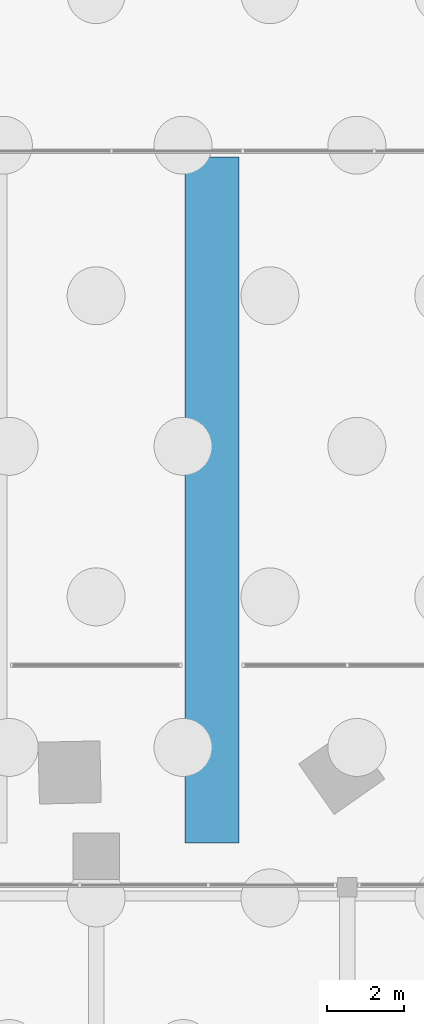
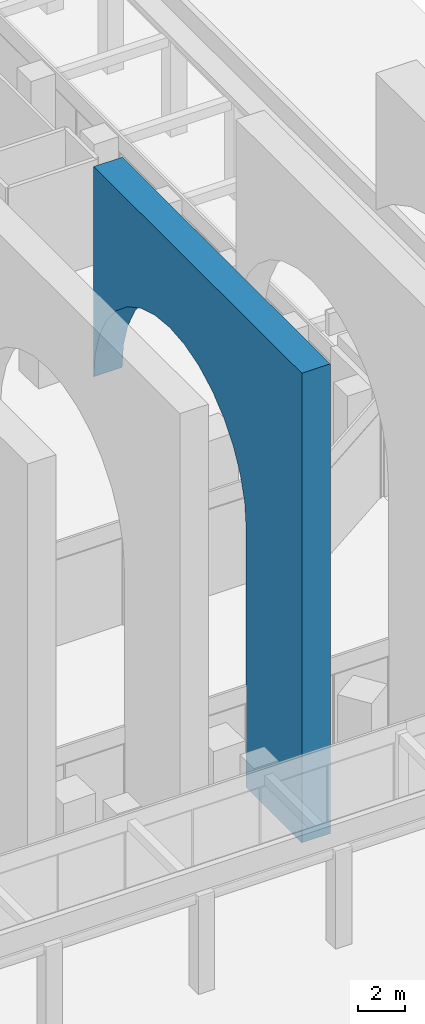
# One storey, part 24 of 46: 1 member.
"""IFC4 building model written with IfcOpenShell, lengths in metres."""

from ifc_helpers import new_model, si_unit, direction, frame, origin, place, context, subcontext, project, spatial, polyline, outline, extrude, material, material_profile, profile_set, type_object, element, save


model = new_model("IFC4")

# Units and contexts
model_context = context("Model", 3, precision=1e-05, world=origin(), true_north=direction((0.0, 1.0)))
body_context = subcontext(model_context, "Body", "Model", "MODEL_VIEW")
ifc_project = project(units=[si_unit("LENGTHUNIT", "METRE"), si_unit("AREAUNIT", "SQUARE_METRE"), si_unit("VOLUMEUNIT", "CUBIC_METRE"), si_unit("PLANEANGLEUNIT", "RADIAN"), si_unit("MASSUNIT", "GRAM", prefix="KILO")], contexts=[model_context])

# Site, building, storey
site_placement = place(None, origin())
site = spatial("IfcSite", under=ifc_project, at=site_placement, CompositionType="ELEMENT")
building_placement = place(site_placement, origin())
building = spatial("IfcBuilding", under=site, at=building_placement, Name="Mangrove Gate Tower", CompositionType="ELEMENT")
storey_placement = place(building_placement, origin())
storey = spatial("IfcBuildingStorey", under=building, at=storey_placement, Name="L00", CompositionType="ELEMENT", Elevation=0.0)

# Member
ifc_material = material(Name="Concrete C60/75", Category="concrete")
ifc_material_profile = material_profile(ifc_material, outline(polyline([(-8.875, 0.0), (-4.125, 0.0), (-4.125, 13.5), (-4.0, 14.76806640625), (-3.6298828125, 15.987060546875), (-3.030029296875, 17.111083984375), (-2.220947265625, 18.095947265625), (-1.236083984375, 18.905029296875), (-0.112060546875, 19.5048828125), (1.10693359375, 19.875), (2.375, 20.0), (3.64306640625, 19.875), (4.862060546875, 19.5048828125), (5.986083984375, 18.905029296875), (6.970947265625, 18.095947265625), (7.780029296875, 17.111083984375), (8.3798828125, 15.987060546875), (8.75, 14.76806640625), (8.875, 13.5), (8.875, 24.449951171875), (-8.875, 24.449951171875), (-8.875, 0.0)])))
ifc_profile_set = profile_set([ifc_material_profile], Name="Concrete C60/75")
member_type = type_object("IfcMemberType", Name="Arch frame ARCH FRAME 1400x17750 C60/75", PredefinedType="USERDEFINED", material=ifc_profile_set)
member_placement = place(storey_placement, frame((20.300048828125, -20.875, 0.0), z_axis=(1.0, 0.0, 0.0), x_axis=(0.0, 1.0, 0.0)))
element("IfcMember", 1, at=member_placement, inside=storey, type_object=member_type, Name="Arch frame XP21", ObjectType="ARCH FRAME", PredefinedType="USERDEFINED", context=body_context, shape_type="SweptSolid", body=[
    extrude(outline(polyline([(-8.875, 0.0), (-4.125, 0.0), (-4.125, 13.5), (-4.0, 14.76806640625), (-3.6298828125, 15.987060546875), (-3.030029296875, 17.111083984375), (-2.220947265625, 18.095947265625), (-1.236083984375, 18.905029296875), (-0.112060546875, 19.5048828125), (1.10693359375, 19.875), (2.375, 20.0), (3.64306640625, 19.875), (4.862060546875, 19.5048828125), (5.986083984375, 18.905029296875), (6.970947265625, 18.095947265625), (7.780029296875, 17.111083984375), (8.3798828125, 15.987060546875), (8.75, 14.76806640625), (8.875, 13.5), (8.875, 24.449951171875), (-8.875, 24.449951171875), (-8.875, 0.0)])), origin(), (0.0, 0.0, 1.0), 1.39990234375),
])

save(model, "model.ifc")
